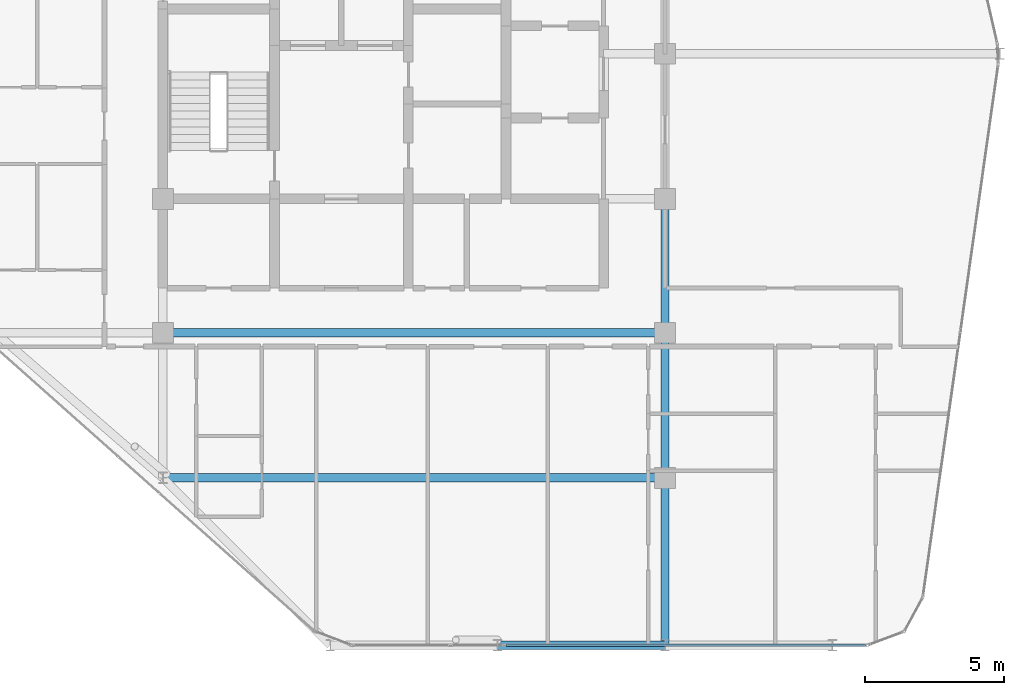
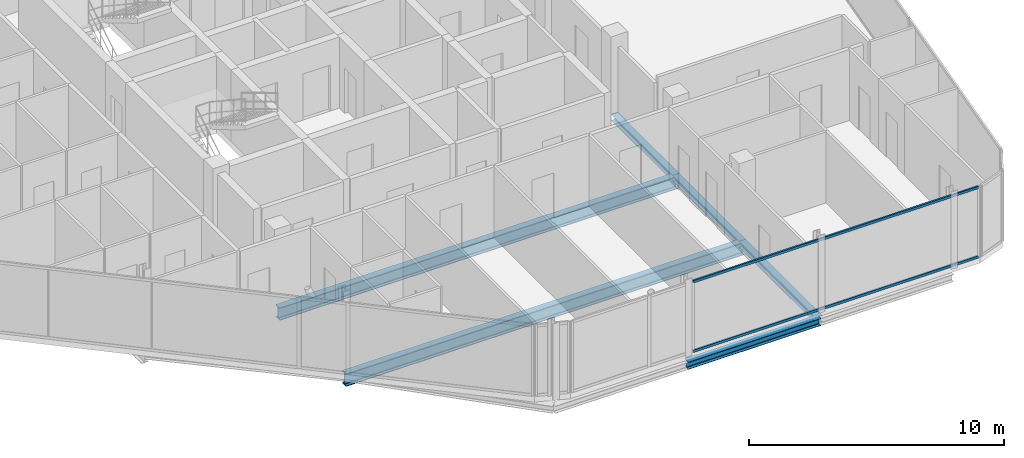
# One storey, part 7 of 27: 6 beams, 2 members, 1 element without a shape of its own.
"""IFC4 building model written with IfcOpenShell, lengths in metres."""

from ifc_helpers import new_model, si_unit, direction, frame, origin, origin_2d, place, context, subcontext, project, spatial, hollow_rectangle, i_section, extrude, material, layer, layer_set, material_profile, profile_set, type_object, element, aggregate, save


model = new_model("IFC4")

# Units and contexts
model_context = context("Model", 3, precision=1e-05, world=origin(), true_north=direction((0.0, 1.0)))
body_context = subcontext(model_context, "Body", "Model", "MODEL_VIEW")
ifc_project = project(units=[si_unit("LENGTHUNIT", "METRE"), si_unit("AREAUNIT", "SQUARE_METRE"), si_unit("VOLUMEUNIT", "CUBIC_METRE"), si_unit("PLANEANGLEUNIT", "RADIAN"), si_unit("MASSUNIT", "GRAM", prefix="KILO")], contexts=[model_context])

# Site, building, storey
site_placement = place(None, origin())
site = spatial("IfcSite", under=ifc_project, at=site_placement, CompositionType="ELEMENT")
building_placement = place(site_placement, origin())
building = spatial("IfcBuilding", under=site, at=building_placement, Name="Keshet Zoharim Tower", CompositionType="ELEMENT")
storey_placement = place(building_placement, frame((0.0, 0.0, 269.5)))
storey = spatial("IfcBuildingStorey", under=building, at=storey_placement, Name="L67", CompositionType="ELEMENT", Elevation=269.5)

# Beams
ifc_material_1 = material(Name="Steel S355", Category="steel")
ifc_material_profile_1 = material_profile(ifc_material_1, i_section(OverallWidth=0.300048828125, OverallDepth=0.60009765625, WebThickness=0.015380859375, FlangeThickness=0.030029296875, FilletRadius=0.027099609375, at=origin_2d()), Name="HEB600")
ifc_profile_set_1 = profile_set([ifc_material_profile_1], Name="Steel S355")
beam_type_1 = type_object("IfcBeamType", Name="BM-LNG-HB600", PredefinedType="BEAM", material=ifc_profile_set_1)
for number, where, z_axis, x_axis, name in (
    (1, (15.0, 12.699951171875, -0.610107421875), (1.0, 0.0, 0.0), (0.0, 1.0, 0.0), "L67 Primary Girder X-004"),
    (2, (15.0, 17.89990234375, -0.610107421875), (1.0, 0.0, 0.0), (0.0, 1.0, 0.0), "L67 Primary Girder X-006"),
):
    element("IfcBeam", number, at=place(storey_placement, frame(where, z_axis=z_axis, x_axis=x_axis)), inside=storey, type_object=beam_type_1, Name=name, PredefinedType="BEAM", context=body_context, shape_type="SweptSolid", body=[
        extrude(i_section(OverallWidth=0.300048828125, OverallDepth=0.60009765625, WebThickness=0.015380859375, FlangeThickness=0.030029296875, FilletRadius=0.027099609375, at=origin_2d()), origin(), (0.0, 0.0, 1.0), 18.0),
    ])
ifc_material_profile_2 = material_profile(ifc_material_1, i_section(OverallWidth=0.300048828125, OverallDepth=0.2900390625, WebThickness=0.008544921875, FlangeThickness=0.013916015625, FilletRadius=0.027099609375, at=origin_2d()), Name="HEA300")
ifc_profile_set_2 = profile_set([ifc_material_profile_2], Name="Steel S355")
beam_type_2 = type_object("IfcBeamType", Name="BM-PRI-HA300", PredefinedType="BEAM", material=ifc_profile_set_2)
beam_1_placement = place(storey_placement, frame((33.0, 6.699951171875, -0.455078125), z_axis=(0.0, 1.0, 0.0), x_axis=(-1.0, 0.0, 0.0)))
element("IfcBeam", 3, at=beam_1_placement, inside=storey, type_object=beam_type_2, Name="L67 Primary Girder Y-004", PredefinedType="BEAM", context=body_context, shape_type="SweptSolid", body=[
    extrude(i_section(OverallWidth=0.300048828125, OverallDepth=0.2900390625, WebThickness=0.008544921875, FlangeThickness=0.013916015625, FilletRadius=0.027099609375, at=origin_2d()), origin(), (0.0, 0.0, 1.0), 6.0),
])
beam_2_placement = place(storey_placement, frame((33.0, 12.699951171875, -0.455078125), z_axis=(0.0, 1.0, 0.0), x_axis=(-1.0, 0.0, 0.0)))
element("IfcBeam", 4, at=beam_2_placement, inside=storey, type_object=beam_type_2, Name="L67 Primary Girder Y-005", PredefinedType="BEAM", context=body_context, shape_type="SweptSolid", body=[
    extrude(i_section(OverallWidth=0.300048828125, OverallDepth=0.2900390625, WebThickness=0.008544921875, FlangeThickness=0.013916015625, FilletRadius=0.027099609375, at=origin_2d()), origin(), (0.0, 0.0, 1.0), 5.199951171875),
])
beam_3_placement = place(storey_placement, frame((33.0, 17.89990234375, -0.455078125), z_axis=(0.0, 1.0, 0.0), x_axis=(-1.0, 0.0, 0.0)))
element("IfcBeam", 5, at=beam_3_placement, inside=storey, type_object=beam_type_2, Name="L67 Primary Girder Y-006", PredefinedType="BEAM", context=body_context, shape_type="SweptSolid", body=[
    extrude(i_section(OverallWidth=0.300048828125, OverallDepth=0.2900390625, WebThickness=0.008544921875, FlangeThickness=0.013916015625, FilletRadius=0.027099609375, at=origin_2d()), origin(), (0.0, 0.0, 1.0), 4.800048828125),
])
ifc_material_profile_3 = material_profile(ifc_material_1, i_section(OverallWidth=0.300048828125, OverallDepth=0.35009765625, WebThickness=0.010009765625, FlangeThickness=0.017578125, FilletRadius=0.027099609375, at=origin_2d()), Name="HEA360")
ifc_profile_set_3 = profile_set([ifc_material_profile_3], Name="Steel S355")
beam_type_3 = type_object("IfcBeamType", Name="BM-PRI-HA360", PredefinedType="BEAM", material=ifc_profile_set_3)
beam_4_placement = place(storey_placement, frame((27.0, 6.699951171875, -0.485107421875), z_axis=(1.0, 0.0, 0.0), x_axis=(0.0, 1.0, 0.0)))
element("IfcBeam", 6, at=beam_4_placement, inside=storey, type_object=beam_type_3, Name="L67 Primary Girder X-002", PredefinedType="BEAM", context=body_context, shape_type="SweptSolid", body=[
    extrude(i_section(OverallWidth=0.300048828125, OverallDepth=0.35009765625, WebThickness=0.010009765625, FlangeThickness=0.017578125, FilletRadius=0.027099609375, at=origin_2d()), origin(), (0.0, 0.0, 1.0), 6.0),
])

# Curtain wall, members
ifc_material_2 = material(Name="Aluminium 6063-T6", Category="aluminium")
ifc_layer = layer(ifc_material_2, 0.260009765625)
ifc_layer_set = layer_set([ifc_layer], Name="Aluminium 6063-T6")
curtain_wall_type = type_object("IfcCurtainWallType", Name="CW-SYS-06", PredefinedType="NOTDEFINED", material=ifc_layer_set)
curtain_wall_placement = place(storey_placement, origin())
curtain_wall = element("IfcCurtainWall", 7, at=curtain_wall_placement, inside=storey, type_object=curtain_wall_type, Name="L67 Unitised Curtain Wall 14", PredefinedType="NOTDEFINED")
ifc_material_profile_4 = material_profile(ifc_material_2, hollow_rectangle(XDim=0.074951171875, YDim=0.1201171875, WallThickness=0.00390625, at=origin_2d()), Name="TRN-75x120")
ifc_profile_set_4 = profile_set([ifc_material_profile_4], Name="Aluminium 6063-T6")
member_type = type_object("IfcMemberType", Name="CWT-T12", PredefinedType="USERDEFINED", material=ifc_profile_set_4)
member_1_placement = place(storey_placement, frame((40.193115234375, 6.699951171875, 0.034912109375), z_axis=(-1.0, 0.0, 0.0), x_axis=(0.0, -1.0, 0.0)))
member_1 = element("IfcMember", 8, at=member_1_placement, type_object=member_type, Name="CW-06 transom 1.1", ObjectType="TRANSOM", PredefinedType="USERDEFINED", context=body_context, shape_type="SweptSolid", body=[
    extrude(hollow_rectangle(XDim=0.074951171875, YDim=0.1201171875, WallThickness=0.00390625, at=origin_2d()), origin(), (0.0, 0.0, 1.0), 12.898193359375),
])
member_2_placement = place(storey_placement, frame((40.193115234375, 6.699951171875, 3.35498046875), z_axis=(-1.0, 0.0, 0.0), x_axis=(0.0, -1.0, 0.0)))
member_2 = element("IfcMember", 9, at=member_2_placement, type_object=member_type, Name="CW-06 transom 1.2", ObjectType="TRANSOM", PredefinedType="USERDEFINED", context=body_context, shape_type="SweptSolid", body=[
    extrude(hollow_rectangle(XDim=0.074951171875, YDim=0.1201171875, WallThickness=0.00390625, at=origin_2d()), origin(), (0.0, 0.0, 1.0), 12.898193359375),
])
aggregate(curtain_wall, [member_1, member_2])

save(model, "model.ifc")
